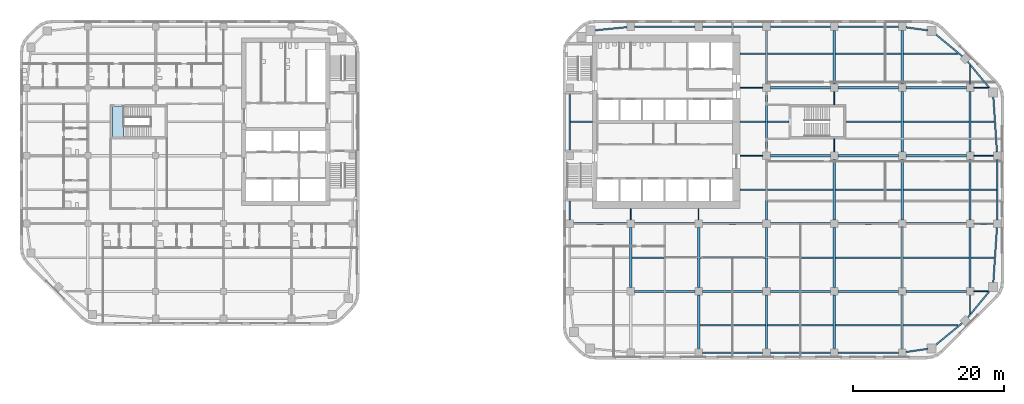
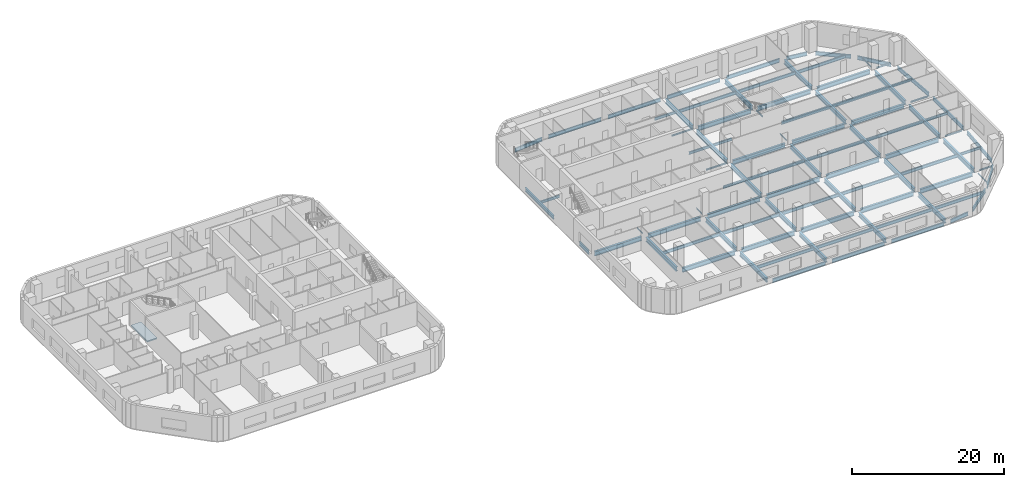
# One storey, part 3 of 16: 93 beams, 1 slab, 1 element without a shape of its own.
"""IFC4 building model written with IfcOpenShell, lengths in metres."""

from ifc_helpers import new_model, si_unit, direction, frame, origin, origin_2d, place, context, subcontext, project, spatial, polyline, i_section, outline, extrude, material, layer, layer_set, material_profile, profile_set, type_object, element, aggregate, save


model = new_model("IFC4")

# Units and contexts
model_context = context("Model", 3, precision=1e-05, world=origin(), true_north=direction((0.0, 1.0)))
body_context = subcontext(model_context, "Body", "Model", "MODEL_VIEW")
ifc_project = project(units=[si_unit("LENGTHUNIT", "METRE"), si_unit("AREAUNIT", "SQUARE_METRE"), si_unit("VOLUMEUNIT", "CUBIC_METRE"), si_unit("PLANEANGLEUNIT", "RADIAN"), si_unit("MASSUNIT", "GRAM", prefix="KILO")], contexts=[model_context])

# Site, building, storey
site_placement = place(None, origin())
site = spatial("IfcSite", under=ifc_project, at=site_placement, CompositionType="ELEMENT")
building_placement = place(site_placement, origin())
building = spatial("IfcBuilding", under=site, at=building_placement, Name="Cinnabar Reach Civic Tower", CompositionType="ELEMENT")
storey_placement = place(building_placement, frame((0.0, 0.0, 30.0)))
storey = spatial("IfcBuildingStorey", under=building, at=storey_placement, Name="L06", CompositionType="ELEMENT", Elevation=30.0)

# Beams
ifc_material_1 = material(Name="Steel Q355B", Category="steel")
ifc_material_profile_1 = material_profile(ifc_material_1, i_section(OverallWidth=0.099, OverallDepth=0.198, WebThickness=0.0045, FlangeThickness=0.007, FilletRadius=0.013, at=origin_2d()), Name="HN200x100x5.5x8")
ifc_profile_set_1 = profile_set([ifc_material_profile_1], Name="Steel Q355B")
beam_type_1 = type_object("IfcBeamType", Name="HN200x100x5.5x8 beam R 180", PredefinedType="BEAM", material=ifc_profile_set_1)
for number, where, z_axis, x_axis, name in (
    (1, (9.0, 18.502, -0.249), (0.0, 1.0, 0.0), (-1.0, 0.0, 0.0), "Girder T1 L06 3"),
    (2, (18.0, 18.502, -0.249), (0.0, 1.0, 0.0), (-1.0, 0.0, 0.0), "Girder T1 L06 6"),
):
    element("IfcBeam", number, at=place(storey_placement, frame(where, z_axis=z_axis, x_axis=x_axis)), inside=storey, type_object=beam_type_1, Name=name, PredefinedType="BEAM", context=body_context, shape_type="SweptSolid", body=[
        extrude(i_section(OverallWidth=0.099, OverallDepth=0.198, WebThickness=0.0045, FlangeThickness=0.007, FilletRadius=0.013, at=origin_2d()), origin(), (0.0, 0.0, 1.0), 1.496),
    ])
for number, where, z_axis, x_axis, name in (
    (3, (36.0, 27.502, -0.249), (0.0, 1.0, 0.0), (-1.0, 0.0, 0.0), "Girder T1 L06 15"),
    (4, (36.0, 33.752, -0.249), (0.0, 1.0, 0.0), (-1.0, 0.0, 0.0), "Girder T1 L06 16"),
):
    element("IfcBeam", number, at=place(storey_placement, frame(where, z_axis=z_axis, x_axis=x_axis)), inside=storey, type_object=beam_type_1, Name=name, PredefinedType="BEAM", context=body_context, shape_type="SweptSolid", body=[
        extrude(i_section(OverallWidth=0.099, OverallDepth=0.198, WebThickness=0.0045, FlangeThickness=0.007, FilletRadius=0.013, at=origin_2d()), origin(), (0.0, 0.0, 1.0), 1.746),
    ])
for number, where, z_axis, x_axis, name in (
    (5, (54.0, 6.0682, -0.249), (0.0, 1.0, 0.0), (-1.0, 0.0, 0.0), "Girder T1 L06 23"),
    (6, (54.0, 36.502, -0.249), (0.0, 1.0, 0.0), (-1.0, 0.0, 0.0), "Girder T1 L06 27"),
):
    element("IfcBeam", number, at=place(storey_placement, frame(where, z_axis=z_axis, x_axis=x_axis)), inside=storey, type_object=beam_type_1, Name=name, PredefinedType="BEAM", context=body_context, shape_type="SweptSolid", body=[
        extrude(i_section(OverallWidth=0.099, OverallDepth=0.198, WebThickness=0.0045, FlangeThickness=0.007, FilletRadius=0.013, at=origin_2d()), origin(), (0.0, 0.0, 1.0), 2.4298),
    ])
ifc_material_profile_2 = material_profile(ifc_material_1, i_section(OverallWidth=0.124, OverallDepth=0.248, WebThickness=0.005, FlangeThickness=0.008, FilletRadius=0.013, at=origin_2d()), Name="HN250x125x6x9")
ifc_profile_set_2 = profile_set([ifc_material_profile_2], Name="Steel Q355B")
beam_type_2 = type_object("IfcBeamType", Name="HN250x125x6x9 beam R 180", PredefinedType="BEAM", material=ifc_profile_set_2)
beam_1_placement = place(storey_placement, frame((54.502, 9.0, -0.274), z_axis=(1.0, 0.0, 0.0), x_axis=(0.0, 1.0, 0.0)))
element("IfcBeam", 7, at=beam_1_placement, inside=storey, type_object=beam_type_2, Name="Girder T1 L06 7", PredefinedType="BEAM", context=body_context, shape_type="SweptSolid", body=[
    extrude(i_section(OverallWidth=0.124, OverallDepth=0.248, WebThickness=0.005, FlangeThickness=0.008, FilletRadius=0.013, at=origin_2d()), origin(), (0.0, 0.0, 1.0), 1.9162),
])
beam_2_placement = place(storey_placement, frame((54.502, 18.0, -0.274), z_axis=(1.0, 0.0, 0.0), x_axis=(0.0, 1.0, 0.0)))
element("IfcBeam", 8, at=beam_2_placement, inside=storey, type_object=beam_type_2, Name="Girder T1 L06 14", PredefinedType="BEAM", context=body_context, shape_type="SweptSolid", body=[
    extrude(i_section(OverallWidth=0.124, OverallDepth=0.248, WebThickness=0.005, FlangeThickness=0.008, FilletRadius=0.013, at=origin_2d()), origin(), (0.0, 0.0, 1.0), 2.596),
])
beam_3_placement = place(storey_placement, frame((23.502, 27.0, -0.274), z_axis=(1.0, 0.0, 0.0), x_axis=(0.0, 1.0, 0.0)))
element("IfcBeam", 9, at=beam_3_placement, inside=storey, type_object=beam_type_2, Name="Girder T1 L06 15", PredefinedType="BEAM", context=body_context, shape_type="SweptSolid", body=[
    extrude(i_section(OverallWidth=0.124, OverallDepth=0.248, WebThickness=0.005, FlangeThickness=0.008, FilletRadius=0.013, at=origin_2d()), origin(), (0.0, 0.0, 1.0), 2.996),
])
beam_4_placement = place(storey_placement, frame((54.502, 27.0, -0.274), z_axis=(1.0, 0.0, 0.0), x_axis=(0.0, 1.0, 0.0)))
element("IfcBeam", 10, at=beam_4_placement, inside=storey, type_object=beam_type_2, Name="Girder T1 L06 19", PredefinedType="BEAM", context=body_context, shape_type="SweptSolid", body=[
    extrude(i_section(OverallWidth=0.124, OverallDepth=0.248, WebThickness=0.005, FlangeThickness=0.008, FilletRadius=0.013, at=origin_2d()), origin(), (0.0, 0.0, 1.0), 2.596),
])
beam_5_placement = place(storey_placement, frame((23.502, 36.0, -0.274), z_axis=(1.0, 0.0, 0.0), x_axis=(0.0, 1.0, 0.0)))
element("IfcBeam", 11, at=beam_5_placement, inside=storey, type_object=beam_type_2, Name="Girder T1 L06 20", PredefinedType="BEAM", context=body_context, shape_type="SweptSolid", body=[
    extrude(i_section(OverallWidth=0.124, OverallDepth=0.248, WebThickness=0.005, FlangeThickness=0.008, FilletRadius=0.013, at=origin_2d()), origin(), (0.0, 0.0, 1.0), 2.996),
])
beam_6_placement = place(storey_placement, frame((54.502, 36.0, -0.274), z_axis=(1.0, 0.0, 0.0), x_axis=(0.0, 1.0, 0.0)))
element("IfcBeam", 12, at=beam_6_placement, inside=storey, type_object=beam_type_2, Name="Girder T1 L06 24", PredefinedType="BEAM", context=body_context, shape_type="SweptSolid", body=[
    extrude(i_section(OverallWidth=0.124, OverallDepth=0.248, WebThickness=0.005, FlangeThickness=0.008, FilletRadius=0.013, at=origin_2d()), origin(), (0.0, 0.0, 1.0), 1.9162),
])
ifc_material_profile_3 = material_profile(ifc_material_1, i_section(OverallWidth=0.2, OverallDepth=0.4, WebThickness=0.008, FlangeThickness=0.013, FilletRadius=0.016, at=origin_2d()), Name="HN400x200x8x13")
ifc_profile_set_3 = profile_set([ifc_material_profile_3], Name="Steel Q355B")
beam_type_3 = type_object("IfcBeamType", Name="HN400x200x8x13 beam R 180", PredefinedType="BEAM", material=ifc_profile_set_3)
beam_7_placement = place(storey_placement, frame((54.152, 13.5, -0.35), z_axis=(1.0, 0.0, 0.0), x_axis=(0.0, 1.0, 0.0)))
element("IfcBeam", 13, at=beam_7_placement, inside=storey, type_object=beam_type_3, Name="Secondary beam T1 L06 13", PredefinedType="BEAM", context=body_context, shape_type="SweptSolid", body=[
    extrude(i_section(OverallWidth=0.2, OverallDepth=0.4, WebThickness=0.008, FlangeThickness=0.013, FilletRadius=0.016, at=origin_2d()), origin(), (0.0, 0.0, 1.0), 3.0494),
])
for number, where, z_axis, x_axis, name in (
    (14, (23.502, 22.5, -0.35), (1.0, 0.0, 0.0), (0.0, 1.0, 0.0), "Secondary beam T1 L06 14"),
    (15, (54.152, 22.5, -0.35), (1.0, 0.0, 0.0), (0.0, 1.0, 0.0), "Secondary beam T1 L06 18"),
):
    element("IfcBeam", number, at=place(storey_placement, frame(where, z_axis=z_axis, x_axis=x_axis)), inside=storey, type_object=beam_type_3, Name=name, PredefinedType="BEAM", context=body_context, shape_type="SweptSolid", body=[
        extrude(i_section(OverallWidth=0.2, OverallDepth=0.4, WebThickness=0.008, FlangeThickness=0.013, FilletRadius=0.016, at=origin_2d()), origin(), (0.0, 0.0, 1.0), 3.346),
    ])
beam_8_placement = place(storey_placement, frame((1.002, 31.5, -0.35), z_axis=(1.0, 0.0, 0.0), x_axis=(0.0, 1.0, 0.0)))
element("IfcBeam", 16, at=beam_8_placement, inside=storey, type_object=beam_type_3, Name="Secondary beam T1 L06 19", PredefinedType="BEAM", context=body_context, shape_type="SweptSolid", body=[
    extrude(i_section(OverallWidth=0.2, OverallDepth=0.4, WebThickness=0.008, FlangeThickness=0.013, FilletRadius=0.016, at=origin_2d()), origin(), (0.0, 0.0, 1.0), 2.896),
])
beam_9_placement = place(storey_placement, frame((23.502, 31.5, -0.35), z_axis=(1.0, 0.0, 0.0), x_axis=(0.0, 1.0, 0.0)))
element("IfcBeam", 17, at=beam_9_placement, inside=storey, type_object=beam_type_3, Name="Secondary beam T1 L06 20", PredefinedType="BEAM", context=body_context, shape_type="SweptSolid", body=[
    extrude(i_section(OverallWidth=0.2, OverallDepth=0.4, WebThickness=0.008, FlangeThickness=0.013, FilletRadius=0.016, at=origin_2d()), origin(), (0.0, 0.0, 1.0), 3.346),
])
beam_10_placement = place(storey_placement, frame((27.152, 31.5, -0.35), z_axis=(1.0, 0.0, 0.0), x_axis=(0.0, 1.0, 0.0)))
element("IfcBeam", 18, at=beam_10_placement, inside=storey, type_object=beam_type_3, Name="Secondary beam T1 L06 21", PredefinedType="BEAM", context=body_context, shape_type="SweptSolid", body=[
    extrude(i_section(OverallWidth=0.2, OverallDepth=0.4, WebThickness=0.008, FlangeThickness=0.013, FilletRadius=0.016, at=origin_2d()), origin(), (0.0, 0.0, 1.0), 2.846),
])
beam_11_placement = place(storey_placement, frame((54.152, 31.5, -0.35), z_axis=(1.0, 0.0, 0.0), x_axis=(0.0, 1.0, 0.0)))
element("IfcBeam", 19, at=beam_11_placement, inside=storey, type_object=beam_type_3, Name="Secondary beam T1 L06 24", PredefinedType="BEAM", context=body_context, shape_type="SweptSolid", body=[
    extrude(i_section(OverallWidth=0.2, OverallDepth=0.4, WebThickness=0.008, FlangeThickness=0.013, FilletRadius=0.016, at=origin_2d()), origin(), (0.0, 0.0, 1.0), 3.0494),
])
beam_12_placement = place(storey_placement, frame((23.502, 40.5, -0.35), z_axis=(1.0, 0.0, 0.0), x_axis=(0.0, 1.0, 0.0)))
element("IfcBeam", 20, at=beam_12_placement, inside=storey, type_object=beam_type_3, Name="Secondary beam T1 L06 25", PredefinedType="BEAM", context=body_context, shape_type="SweptSolid", body=[
    extrude(i_section(OverallWidth=0.2, OverallDepth=0.4, WebThickness=0.008, FlangeThickness=0.013, FilletRadius=0.016, at=origin_2d()), origin(), (0.0, 0.0, 1.0), 3.346),
])
ifc_material_profile_4 = material_profile(ifc_material_1, i_section(OverallWidth=0.2, OverallDepth=0.5, WebThickness=0.01, FlangeThickness=0.016, FilletRadius=0.016, at=origin_2d()), Name="HN500x200x10x16")
ifc_profile_set_4 = profile_set([ifc_material_profile_4], Name="Steel Q355B")
beam_type_4 = type_object("IfcBeamType", Name="HN500x200x10x16 beam R 180", PredefinedType="BEAM", material=ifc_profile_set_4)
for number, where, z_axis, x_axis, name in (
    (21, (18.152, 4.5, -0.4), (1.0, 0.0, 0.0), (0.0, 1.0, 0.0), "Secondary beam T1 L06 3"),
    (22, (27.152, 4.5, -0.4), (1.0, 0.0, 0.0), (0.0, 1.0, 0.0), "Secondary beam T1 L06 4"),
    (23, (36.152, 4.5, -0.4), (1.0, 0.0, 0.0), (0.0, 1.0, 0.0), "Secondary beam T1 L06 5"),
):
    element("IfcBeam", number, at=place(storey_placement, frame(where, z_axis=z_axis, x_axis=x_axis)), inside=storey, type_object=beam_type_4, Name=name, PredefinedType="BEAM", context=body_context, shape_type="SweptSolid", body=[
        extrude(i_section(OverallWidth=0.2, OverallDepth=0.5, WebThickness=0.01, FlangeThickness=0.016, FilletRadius=0.016, at=origin_2d()), origin(), (0.0, 0.0, 1.0), 8.696),
    ])
beam_13_placement = place(storey_placement, frame((45.152, 4.5, -0.4), z_axis=(1.0, 0.0, 0.0), x_axis=(0.0, 1.0, 0.0)))
element("IfcBeam", 24, at=beam_13_placement, inside=storey, type_object=beam_type_4, Name="Secondary beam T1 L06 6", PredefinedType="BEAM", context=body_context, shape_type="SweptSolid", body=[
    extrude(i_section(OverallWidth=0.2, OverallDepth=0.5, WebThickness=0.01, FlangeThickness=0.016, FilletRadius=0.016, at=origin_2d()), origin(), (0.0, 0.0, 1.0), 7.2798),
])
for number, where, z_axis, x_axis, name in (
    (25, (9.152, 13.5, -0.4), (1.0, 0.0, 0.0), (0.0, 1.0, 0.0), "Secondary beam T1 L06 8"),
    (26, (18.152, 13.5, -0.4), (1.0, 0.0, 0.0), (0.0, 1.0, 0.0), "Secondary beam T1 L06 9"),
    (27, (27.152, 13.5, -0.4), (1.0, 0.0, 0.0), (0.0, 1.0, 0.0), "Secondary beam T1 L06 10"),
    (28, (36.152, 13.5, -0.4), (1.0, 0.0, 0.0), (0.0, 1.0, 0.0), "Secondary beam T1 L06 11"),
    (29, (45.152, 13.5, -0.4), (1.0, 0.0, 0.0), (0.0, 1.0, 0.0), "Secondary beam T1 L06 12"),
    (30, (27.152, 22.5, -0.4), (1.0, 0.0, 0.0), (0.0, 1.0, 0.0), "Secondary beam T1 L06 15"),
    (31, (36.152, 22.5, -0.4), (1.0, 0.0, 0.0), (0.0, 1.0, 0.0), "Secondary beam T1 L06 16"),
    (32, (45.152, 22.5, -0.4), (1.0, 0.0, 0.0), (0.0, 1.0, 0.0), "Secondary beam T1 L06 17"),
):
    element("IfcBeam", number, at=place(storey_placement, frame(where, z_axis=z_axis, x_axis=x_axis)), inside=storey, type_object=beam_type_4, Name=name, PredefinedType="BEAM", context=body_context, shape_type="SweptSolid", body=[
        extrude(i_section(OverallWidth=0.2, OverallDepth=0.5, WebThickness=0.01, FlangeThickness=0.016, FilletRadius=0.016, at=origin_2d()), origin(), (0.0, 0.0, 1.0), 8.696),
    ])
beam_14_placement = place(storey_placement, frame((37.502, 31.5, -0.4), z_axis=(1.0, 0.0, 0.0), x_axis=(0.0, 1.0, 0.0)))
element("IfcBeam", 33, at=beam_14_placement, inside=storey, type_object=beam_type_4, Name="Secondary beam T1 L06 22", PredefinedType="BEAM", context=body_context, shape_type="SweptSolid", body=[
    extrude(i_section(OverallWidth=0.2, OverallDepth=0.5, WebThickness=0.01, FlangeThickness=0.016, FilletRadius=0.016, at=origin_2d()), origin(), (0.0, 0.0, 1.0), 7.346),
])
for number, where, z_axis, x_axis, name in (
    (34, (45.152, 31.5, -0.4), (1.0, 0.0, 0.0), (0.0, 1.0, 0.0), "Secondary beam T1 L06 23"),
    (35, (27.152, 40.5, -0.4), (1.0, 0.0, 0.0), (0.0, 1.0, 0.0), "Secondary beam T1 L06 26"),
    (36, (36.152, 40.5, -0.4), (1.0, 0.0, 0.0), (0.0, 1.0, 0.0), "Secondary beam T1 L06 27"),
):
    element("IfcBeam", number, at=place(storey_placement, frame(where, z_axis=z_axis, x_axis=x_axis)), inside=storey, type_object=beam_type_4, Name=name, PredefinedType="BEAM", context=body_context, shape_type="SweptSolid", body=[
        extrude(i_section(OverallWidth=0.2, OverallDepth=0.5, WebThickness=0.01, FlangeThickness=0.016, FilletRadius=0.016, at=origin_2d()), origin(), (0.0, 0.0, 1.0), 8.696),
    ])
beam_15_placement = place(storey_placement, frame((45.152, 40.5, -0.4), z_axis=(1.0, 0.0, 0.0), x_axis=(0.0, 1.0, 0.0)))
element("IfcBeam", 37, at=beam_15_placement, inside=storey, type_object=beam_type_4, Name="Secondary beam T1 L06 28", PredefinedType="BEAM", context=body_context, shape_type="SweptSolid", body=[
    extrude(i_section(OverallWidth=0.2, OverallDepth=0.5, WebThickness=0.01, FlangeThickness=0.016, FilletRadius=0.016, at=origin_2d()), origin(), (0.0, 0.0, 1.0), 7.2798),
])
ifc_material_profile_5 = material_profile(ifc_material_1, i_section(OverallWidth=0.2, OverallDepth=0.6, WebThickness=0.011, FlangeThickness=0.017, FilletRadius=0.016, at=origin_2d()), Name="HN600x200x11x17")
ifc_profile_set_5 = profile_set([ifc_material_profile_5], Name="Steel Q355B")
beam_type_5 = type_object("IfcBeamType", Name="HN600x200x11x17 beam R 180", PredefinedType="BEAM", material=ifc_profile_set_5)
for number, where, z_axis, x_axis, name in (
    (38, (18.502, 0.9, -0.45), (1.0, 0.0, 0.0), (0.0, 1.0, 0.0), "Edge beam T1 L06 3"),
    (39, (27.502, 0.9, -0.45), (1.0, 0.0, 0.0), (0.0, 1.0, 0.0), "Edge beam T1 L06 4"),
    (40, (36.502, 0.9, -0.45), (1.0, 0.0, 0.0), (0.0, 1.0, 0.0), "Edge beam T1 L06 5"),
):
    element("IfcBeam", number, at=place(storey_placement, frame(where, z_axis=z_axis, x_axis=x_axis)), inside=storey, type_object=beam_type_5, Name=name, PredefinedType="BEAM", context=body_context, shape_type="SweptSolid", body=[
        extrude(i_section(OverallWidth=0.2, OverallDepth=0.6, WebThickness=0.011, FlangeThickness=0.017, FilletRadius=0.016, at=origin_2d()), origin(), (0.0, 0.0, 1.0), 7.996),
    ])
beam_16_placement = place(storey_placement, frame((45.502, 0.9712, -0.45), z_axis=(0.990082238922, 0.140489003738, 0.0), x_axis=(-0.140489003738, 0.990082238922, 0.0)))
element("IfcBeam", 41, at=beam_16_placement, inside=storey, type_object=beam_type_5, Name="Edge beam T1 L06 6", PredefinedType="BEAM", context=body_context, shape_type="SweptSolid", body=[
    extrude(i_section(OverallWidth=0.2, OverallDepth=0.6, WebThickness=0.011, FlangeThickness=0.017, FilletRadius=0.016, at=origin_2d()), origin(), (0.0, 0.0, 1.0), 2.9433),
])
for number, where, z_axis, x_axis, name in (
    (42, (49.3801, 1.8507, -0.45), (0.77143827905, 0.6363041581, 0.0), (-0.6363041581, 0.77143827905, 0.0), "Edge beam T1 L06 7"),
    (43, (53.6461, 5.4789, -0.45), (0.6363041581, 0.77143827905, 0.0), (-0.77143827905, 0.6363041581, 0.0), "Edge beam T1 L06 8"),
):
    element("IfcBeam", number, at=place(storey_placement, frame(where, z_axis=z_axis, x_axis=x_axis)), inside=storey, type_object=beam_type_5, Name=name, PredefinedType="BEAM", context=body_context, shape_type="SweptSolid", body=[
        extrude(i_section(OverallWidth=0.2, OverallDepth=0.6, WebThickness=0.011, FlangeThickness=0.017, FilletRadius=0.016, at=origin_2d()), origin(), (0.0, 0.0, 1.0), 4.7198),
    ])
beam_17_placement = place(storey_placement, frame((57.0786, 10.0839, -0.45), z_axis=(0.065718615968, 0.997838195057, 0.0), x_axis=(-0.997838195057, 0.065718615968, 0.0)))
element("IfcBeam", 44, at=beam_17_placement, inside=storey, type_object=beam_type_5, Name="Edge beam T1 L06 9", PredefinedType="BEAM", context=body_context, shape_type="SweptSolid", body=[
    extrude(i_section(OverallWidth=0.2, OverallDepth=0.6, WebThickness=0.011, FlangeThickness=0.017, FilletRadius=0.016, at=origin_2d()), origin(), (0.0, 0.0, 1.0), 7.4302),
])
beam_18_placement = place(storey_placement, frame((57.6, 18.502, -0.45), z_axis=(0.0, 1.0, 0.0), x_axis=(-1.0, 0.0, 0.0)))
element("IfcBeam", 45, at=beam_18_placement, inside=storey, type_object=beam_type_5, Name="Edge beam T1 L06 10", PredefinedType="BEAM", context=body_context, shape_type="SweptSolid", body=[
    extrude(i_section(OverallWidth=0.2, OverallDepth=0.6, WebThickness=0.011, FlangeThickness=0.017, FilletRadius=0.016, at=origin_2d()), origin(), (0.0, 0.0, 1.0), 7.996),
])
beam_19_placement = place(storey_placement, frame((57.5669, 27.502, -0.45), z_axis=(-0.065718615968, 0.997838195057, 0.0), x_axis=(-0.997838195057, -0.065718615968, 0.0)))
element("IfcBeam", 46, at=beam_19_placement, inside=storey, type_object=beam_type_5, Name="Edge beam T1 L06 11", PredefinedType="BEAM", context=body_context, shape_type="SweptSolid", body=[
    extrude(i_section(OverallWidth=0.2, OverallDepth=0.6, WebThickness=0.011, FlangeThickness=0.017, FilletRadius=0.016, at=origin_2d()), origin(), (0.0, 0.0, 1.0), 7.4302),
])
for number, where, z_axis, x_axis, name in (
    (47, (56.6493, 35.8801, -0.45), (-0.6363041581, 0.77143827905, 0.0), (-0.77143827905, -0.6363041581, 0.0), "Edge beam T1 L06 12"),
    (48, (53.0211, 40.1461, -0.45), (-0.77143827905, 0.6363041581, 0.0), (-0.6363041581, -0.77143827905, 0.0), "Edge beam T1 L06 13"),
):
    element("IfcBeam", number, at=place(storey_placement, frame(where, z_axis=z_axis, x_axis=x_axis)), inside=storey, type_object=beam_type_5, Name=name, PredefinedType="BEAM", context=body_context, shape_type="SweptSolid", body=[
        extrude(i_section(OverallWidth=0.2, OverallDepth=0.6, WebThickness=0.011, FlangeThickness=0.017, FilletRadius=0.016, at=origin_2d()), origin(), (0.0, 0.0, 1.0), 4.7198),
    ])
beam_20_placement = place(storey_placement, frame((48.4161, 43.6153, -0.45), z_axis=(-0.990082238922, 0.140489003738, 0.0), x_axis=(-0.140489003738, -0.990082238922, 0.0)))
element("IfcBeam", 49, at=beam_20_placement, inside=storey, type_object=beam_type_5, Name="Edge beam T1 L06 14", PredefinedType="BEAM", context=body_context, shape_type="SweptSolid", body=[
    extrude(i_section(OverallWidth=0.2, OverallDepth=0.6, WebThickness=0.011, FlangeThickness=0.017, FilletRadius=0.016, at=origin_2d()), origin(), (0.0, 0.0, 1.0), 2.9433),
])
for number, where, z_axis, x_axis, name in (
    (50, (44.498, 44.1, -0.45), (-1.0, 0.0, 0.0), (0.0, -1.0, 0.0), "Edge beam T1 L06 15"),
    (51, (35.498, 44.1, -0.45), (-1.0, 0.0, 0.0), (0.0, -1.0, 0.0), "Edge beam T1 L06 16"),
    (52, (26.498, 44.1, -0.45), (-1.0, 0.0, 0.0), (0.0, -1.0, 0.0), "Edge beam T1 L06 17"),
    (53, (17.498, 44.1, -0.45), (-1.0, 0.0, 0.0), (0.0, -1.0, 0.0), "Edge beam T1 L06 18"),
):
    element("IfcBeam", number, at=place(storey_placement, frame(where, z_axis=z_axis, x_axis=x_axis)), inside=storey, type_object=beam_type_5, Name=name, PredefinedType="BEAM", context=body_context, shape_type="SweptSolid", body=[
        extrude(i_section(OverallWidth=0.2, OverallDepth=0.6, WebThickness=0.011, FlangeThickness=0.017, FilletRadius=0.016, at=origin_2d()), origin(), (0.0, 0.0, 1.0), 7.996),
    ])
beam_21_placement = place(storey_placement, frame((8.498, 44.0505, -0.45), z_axis=(-0.995166374533, -0.098203294236, 0.0), x_axis=(0.098203294236, -0.995166374533, 0.0)))
element("IfcBeam", 54, at=beam_21_placement, inside=storey, type_object=beam_type_5, Name="Edge beam T1 L06 19", PredefinedType="BEAM", context=body_context, shape_type="SweptSolid", body=[
    extrude(i_section(OverallWidth=0.2, OverallDepth=0.6, WebThickness=0.011, FlangeThickness=0.017, FilletRadius=0.016, at=origin_2d()), origin(), (0.0, 0.0, 1.0), 4.3705),
])
beam_22_placement = place(storey_placement, frame((0.9, 35.248, -0.45), z_axis=(0.0, -1.0, 0.0), x_axis=(1.0, 0.0, 0.0)))
element("IfcBeam", 55, at=beam_22_placement, inside=storey, type_object=beam_type_5, Name="Edge beam T1 L06 20", PredefinedType="BEAM", context=body_context, shape_type="SweptSolid", body=[
    extrude(i_section(OverallWidth=0.2, OverallDepth=0.6, WebThickness=0.011, FlangeThickness=0.017, FilletRadius=0.016, at=origin_2d()), origin(), (0.0, 0.0, 1.0), 7.496),
])
beam_23_placement = place(storey_placement, frame((0.9, 20.998, -0.45), z_axis=(0.0, -1.0, 0.0), x_axis=(1.0, 0.0, 0.0)))
element("IfcBeam", 56, at=beam_23_placement, inside=storey, type_object=beam_type_5, Name="Edge beam T1 L06 21", PredefinedType="BEAM", context=body_context, shape_type="SweptSolid", body=[
    extrude(i_section(OverallWidth=0.2, OverallDepth=0.6, WebThickness=0.011, FlangeThickness=0.017, FilletRadius=0.016, at=origin_2d()), origin(), (0.0, 0.0, 1.0), 2.496),
])
ifc_material_profile_6 = material_profile(ifc_material_1, i_section(OverallWidth=0.3, OverallDepth=0.692, WebThickness=0.013, FlangeThickness=0.02, FilletRadius=0.016, at=origin_2d()), Name="HN692x300x13x20")
ifc_profile_set_6 = profile_set([ifc_material_profile_6], Name="Steel Q355B")
beam_type_6 = type_object("IfcBeamType", Name="HN692x300x13x20 beam R 180", PredefinedType="BEAM", material=ifc_profile_set_6)
beam_24_placement = place(storey_placement, frame((9.0, 9.502, -0.496), z_axis=(0.0, 1.0, 0.0), x_axis=(-1.0, 0.0, 0.0)))
element("IfcBeam", 57, at=beam_24_placement, inside=storey, type_object=beam_type_6, Name="Girder T1 L06 2", PredefinedType="BEAM", context=body_context, shape_type="SweptSolid", body=[
    extrude(i_section(OverallWidth=0.3, OverallDepth=0.692, WebThickness=0.013, FlangeThickness=0.02, FilletRadius=0.016, at=origin_2d()), origin(), (0.0, 0.0, 1.0), 7.996),
])
beam_25_placement = place(storey_placement, frame((18.0, 1.402, -0.496), z_axis=(0.0, 1.0, 0.0), x_axis=(-1.0, 0.0, 0.0)))
element("IfcBeam", 58, at=beam_25_placement, inside=storey, type_object=beam_type_6, Name="Girder T1 L06 4", PredefinedType="BEAM", context=body_context, shape_type="SweptSolid", body=[
    extrude(i_section(OverallWidth=0.3, OverallDepth=0.692, WebThickness=0.013, FlangeThickness=0.02, FilletRadius=0.016, at=origin_2d()), origin(), (0.0, 0.0, 1.0), 7.096),
])
beam_26_placement = place(storey_placement, frame((18.0, 9.502, -0.496), z_axis=(0.0, 1.0, 0.0), x_axis=(-1.0, 0.0, 0.0)))
element("IfcBeam", 59, at=beam_26_placement, inside=storey, type_object=beam_type_6, Name="Girder T1 L06 5", PredefinedType="BEAM", context=body_context, shape_type="SweptSolid", body=[
    extrude(i_section(OverallWidth=0.3, OverallDepth=0.692, WebThickness=0.013, FlangeThickness=0.02, FilletRadius=0.016, at=origin_2d()), origin(), (0.0, 0.0, 1.0), 7.996),
])
beam_27_placement = place(storey_placement, frame((27.0, 1.402, -0.496), z_axis=(0.0, 1.0, 0.0), x_axis=(-1.0, 0.0, 0.0)))
element("IfcBeam", 60, at=beam_27_placement, inside=storey, type_object=beam_type_6, Name="Girder T1 L06 7", PredefinedType="BEAM", context=body_context, shape_type="SweptSolid", body=[
    extrude(i_section(OverallWidth=0.3, OverallDepth=0.692, WebThickness=0.013, FlangeThickness=0.02, FilletRadius=0.016, at=origin_2d()), origin(), (0.0, 0.0, 1.0), 7.096),
])
for number, where, z_axis, x_axis, name in (
    (61, (27.0, 9.502, -0.496), (0.0, 1.0, 0.0), (-1.0, 0.0, 0.0), "Girder T1 L06 8"),
    (62, (27.0, 18.502, -0.496), (0.0, 1.0, 0.0), (-1.0, 0.0, 0.0), "Girder T1 L06 9"),
    (63, (27.0, 27.502, -0.496), (0.0, 1.0, 0.0), (-1.0, 0.0, 0.0), "Girder T1 L06 10"),
):
    element("IfcBeam", number, at=place(storey_placement, frame(where, z_axis=z_axis, x_axis=x_axis)), inside=storey, type_object=beam_type_6, Name=name, PredefinedType="BEAM", context=body_context, shape_type="SweptSolid", body=[
        extrude(i_section(OverallWidth=0.3, OverallDepth=0.692, WebThickness=0.013, FlangeThickness=0.02, FilletRadius=0.016, at=origin_2d()), origin(), (0.0, 0.0, 1.0), 7.996),
    ])
for number, where, z_axis, x_axis, name in (
    (64, (27.0, 36.502, -0.496), (0.0, 1.0, 0.0), (-1.0, 0.0, 0.0), "Girder T1 L06 11"),
    (65, (36.0, 1.402, -0.496), (0.0, 1.0, 0.0), (-1.0, 0.0, 0.0), "Girder T1 L06 12"),
):
    element("IfcBeam", number, at=place(storey_placement, frame(where, z_axis=z_axis, x_axis=x_axis)), inside=storey, type_object=beam_type_6, Name=name, PredefinedType="BEAM", context=body_context, shape_type="SweptSolid", body=[
        extrude(i_section(OverallWidth=0.3, OverallDepth=0.692, WebThickness=0.013, FlangeThickness=0.02, FilletRadius=0.016, at=origin_2d()), origin(), (0.0, 0.0, 1.0), 7.096),
    ])
for number, where, z_axis, x_axis, name in (
    (66, (36.0, 9.502, -0.496), (0.0, 1.0, 0.0), (-1.0, 0.0, 0.0), "Girder T1 L06 13"),
    (67, (36.0, 18.502, -0.496), (0.0, 1.0, 0.0), (-1.0, 0.0, 0.0), "Girder T1 L06 14"),
):
    element("IfcBeam", number, at=place(storey_placement, frame(where, z_axis=z_axis, x_axis=x_axis)), inside=storey, type_object=beam_type_6, Name=name, PredefinedType="BEAM", context=body_context, shape_type="SweptSolid", body=[
        extrude(i_section(OverallWidth=0.3, OverallDepth=0.692, WebThickness=0.013, FlangeThickness=0.02, FilletRadius=0.016, at=origin_2d()), origin(), (0.0, 0.0, 1.0), 7.996),
    ])
for number, where, z_axis, x_axis, name in (
    (68, (36.0, 36.502, -0.496), (0.0, 1.0, 0.0), (-1.0, 0.0, 0.0), "Girder T1 L06 17"),
    (69, (45.0, 1.402, -0.496), (0.0, 1.0, 0.0), (-1.0, 0.0, 0.0), "Girder T1 L06 18"),
):
    element("IfcBeam", number, at=place(storey_placement, frame(where, z_axis=z_axis, x_axis=x_axis)), inside=storey, type_object=beam_type_6, Name=name, PredefinedType="BEAM", context=body_context, shape_type="SweptSolid", body=[
        extrude(i_section(OverallWidth=0.3, OverallDepth=0.692, WebThickness=0.013, FlangeThickness=0.02, FilletRadius=0.016, at=origin_2d()), origin(), (0.0, 0.0, 1.0), 7.096),
    ])
for number, where, z_axis, x_axis, name in (
    (70, (45.0, 9.502, -0.496), (0.0, 1.0, 0.0), (-1.0, 0.0, 0.0), "Girder T1 L06 19"),
    (71, (45.0, 18.502, -0.496), (0.0, 1.0, 0.0), (-1.0, 0.0, 0.0), "Girder T1 L06 20"),
    (72, (45.0, 27.502, -0.496), (0.0, 1.0, 0.0), (-1.0, 0.0, 0.0), "Girder T1 L06 21"),
):
    element("IfcBeam", number, at=place(storey_placement, frame(where, z_axis=z_axis, x_axis=x_axis)), inside=storey, type_object=beam_type_6, Name=name, PredefinedType="BEAM", context=body_context, shape_type="SweptSolid", body=[
        extrude(i_section(OverallWidth=0.3, OverallDepth=0.692, WebThickness=0.013, FlangeThickness=0.02, FilletRadius=0.016, at=origin_2d()), origin(), (0.0, 0.0, 1.0), 7.996),
    ])
beam_28_placement = place(storey_placement, frame((45.0, 36.502, -0.496), z_axis=(0.0, 1.0, 0.0), x_axis=(-1.0, 0.0, 0.0)))
element("IfcBeam", 73, at=beam_28_placement, inside=storey, type_object=beam_type_6, Name="Girder T1 L06 22", PredefinedType="BEAM", context=body_context, shape_type="SweptSolid", body=[
    extrude(i_section(OverallWidth=0.3, OverallDepth=0.692, WebThickness=0.013, FlangeThickness=0.02, FilletRadius=0.016, at=origin_2d()), origin(), (0.0, 0.0, 1.0), 7.096),
])
for number, where, z_axis, x_axis, name in (
    (74, (54.0, 9.502, -0.496), (0.0, 1.0, 0.0), (-1.0, 0.0, 0.0), "Girder T1 L06 24"),
    (75, (54.0, 18.502, -0.496), (0.0, 1.0, 0.0), (-1.0, 0.0, 0.0), "Girder T1 L06 25"),
    (76, (54.0, 27.502, -0.496), (0.0, 1.0, 0.0), (-1.0, 0.0, 0.0), "Girder T1 L06 26"),
):
    element("IfcBeam", number, at=place(storey_placement, frame(where, z_axis=z_axis, x_axis=x_axis)), inside=storey, type_object=beam_type_6, Name=name, PredefinedType="BEAM", context=body_context, shape_type="SweptSolid", body=[
        extrude(i_section(OverallWidth=0.3, OverallDepth=0.692, WebThickness=0.013, FlangeThickness=0.02, FilletRadius=0.016, at=origin_2d()), origin(), (0.0, 0.0, 1.0), 7.996),
    ])
ifc_material_profile_7 = material_profile(ifc_material_1, i_section(OverallWidth=0.3, OverallDepth=0.7, WebThickness=0.013, FlangeThickness=0.024, FilletRadius=0.02, at=origin_2d()), Name="HN700x300x13x24")
ifc_profile_set_7 = profile_set([ifc_material_profile_7], Name="Steel Q355B")
beam_type_7 = type_object("IfcBeamType", Name="HN700x300x13x24 beam R 180", PredefinedType="BEAM", material=ifc_profile_set_7)
for number, where, z_axis, x_axis, name in (
    (77, (9.502, 9.0, -0.5), (1.0, 0.0, 0.0), (0.0, 1.0, 0.0), "Girder T1 L06 2"),
    (78, (18.502, 9.0, -0.5), (1.0, 0.0, 0.0), (0.0, 1.0, 0.0), "Girder T1 L06 3"),
    (79, (27.502, 9.0, -0.5), (1.0, 0.0, 0.0), (0.0, 1.0, 0.0), "Girder T1 L06 4"),
    (80, (36.502, 9.0, -0.5), (1.0, 0.0, 0.0), (0.0, 1.0, 0.0), "Girder T1 L06 5"),
    (81, (45.502, 9.0, -0.5), (1.0, 0.0, 0.0), (0.0, 1.0, 0.0), "Girder T1 L06 6"),
):
    element("IfcBeam", number, at=place(storey_placement, frame(where, z_axis=z_axis, x_axis=x_axis)), inside=storey, type_object=beam_type_7, Name=name, PredefinedType="BEAM", context=body_context, shape_type="SweptSolid", body=[
        extrude(i_section(OverallWidth=0.3, OverallDepth=0.7, WebThickness=0.013, FlangeThickness=0.024, FilletRadius=0.02, at=origin_2d()), origin(), (0.0, 0.0, 1.0), 7.996),
    ])
beam_29_placement = place(storey_placement, frame((1.402, 18.0, -0.5), z_axis=(1.0, 0.0, 0.0), x_axis=(0.0, 1.0, 0.0)))
element("IfcBeam", 82, at=beam_29_placement, inside=storey, type_object=beam_type_7, Name="Girder T1 L06 8", PredefinedType="BEAM", context=body_context, shape_type="SweptSolid", body=[
    extrude(i_section(OverallWidth=0.3, OverallDepth=0.7, WebThickness=0.013, FlangeThickness=0.024, FilletRadius=0.02, at=origin_2d()), origin(), (0.0, 0.0, 1.0), 7.096),
])
for number, where, z_axis, x_axis, name in (
    (83, (9.502, 18.0, -0.5), (1.0, 0.0, 0.0), (0.0, 1.0, 0.0), "Girder T1 L06 9"),
    (84, (18.502, 18.0, -0.5), (1.0, 0.0, 0.0), (0.0, 1.0, 0.0), "Girder T1 L06 10"),
    (85, (27.502, 18.0, -0.5), (1.0, 0.0, 0.0), (0.0, 1.0, 0.0), "Girder T1 L06 11"),
    (86, (36.502, 18.0, -0.5), (1.0, 0.0, 0.0), (0.0, 1.0, 0.0), "Girder T1 L06 12"),
    (87, (45.502, 18.0, -0.5), (1.0, 0.0, 0.0), (0.0, 1.0, 0.0), "Girder T1 L06 13"),
    (88, (27.502, 27.0, -0.5), (1.0, 0.0, 0.0), (0.0, 1.0, 0.0), "Girder T1 L06 16"),
    (89, (36.502, 27.0, -0.5), (1.0, 0.0, 0.0), (0.0, 1.0, 0.0), "Girder T1 L06 17"),
    (90, (45.502, 27.0, -0.5), (1.0, 0.0, 0.0), (0.0, 1.0, 0.0), "Girder T1 L06 18"),
    (91, (27.502, 36.0, -0.5), (1.0, 0.0, 0.0), (0.0, 1.0, 0.0), "Girder T1 L06 21"),
    (92, (36.502, 36.0, -0.5), (1.0, 0.0, 0.0), (0.0, 1.0, 0.0), "Girder T1 L06 22"),
    (93, (45.502, 36.0, -0.5), (1.0, 0.0, 0.0), (0.0, 1.0, 0.0), "Girder T1 L06 23"),
):
    element("IfcBeam", number, at=place(storey_placement, frame(where, z_axis=z_axis, x_axis=x_axis)), inside=storey, type_object=beam_type_7, Name=name, PredefinedType="BEAM", context=body_context, shape_type="SweptSolid", body=[
        extrude(i_section(OverallWidth=0.3, OverallDepth=0.7, WebThickness=0.013, FlangeThickness=0.024, FilletRadius=0.02, at=origin_2d()), origin(), (0.0, 0.0, 1.0), 7.996),
    ])

# Stair, slab
ifc_material_2 = material(Name="Concrete C40", Category="concrete")
stair_type = type_object("IfcStairType", Name="T2 Exit stair 1500", PredefinedType="HALF_TURN_STAIR", material=ifc_material_2)
stair_placement = place(storey_placement, origin())
stair = element("IfcStair", 94, at=stair_placement, inside=storey, type_object=stair_type, Name="Exit stair 3", PredefinedType="HALF_TURN_STAIR")
ifc_layer = layer(ifc_material_2, 0.2)
ifc_layer_set = layer_set([ifc_layer], Name="T2 Stair landing 200")
slab_type = type_object("IfcSlabType", Name="T2 Stair landing 200", PredefinedType="LANDING", material=ifc_layer_set)
slab_placement = place(storey_placement, frame((0.0, 0.0, -0.2)))
slab = element("IfcSlab", 95, at=slab_placement, type_object=slab_type, Name="ST3 landing 1", PredefinedType="LANDING", context=body_context, shape_type="SweptSolid", body=[
    extrude(outline(polyline([(-59.75, 29.375), (-59.75, 33.625), (-58.25, 33.625), (-58.25, 29.375), (-59.75, 29.375)])), origin(), (0.0, 0.0, 1.0), 0.2),
])
aggregate(stair, [slab])

save(model, "model.ifc")
